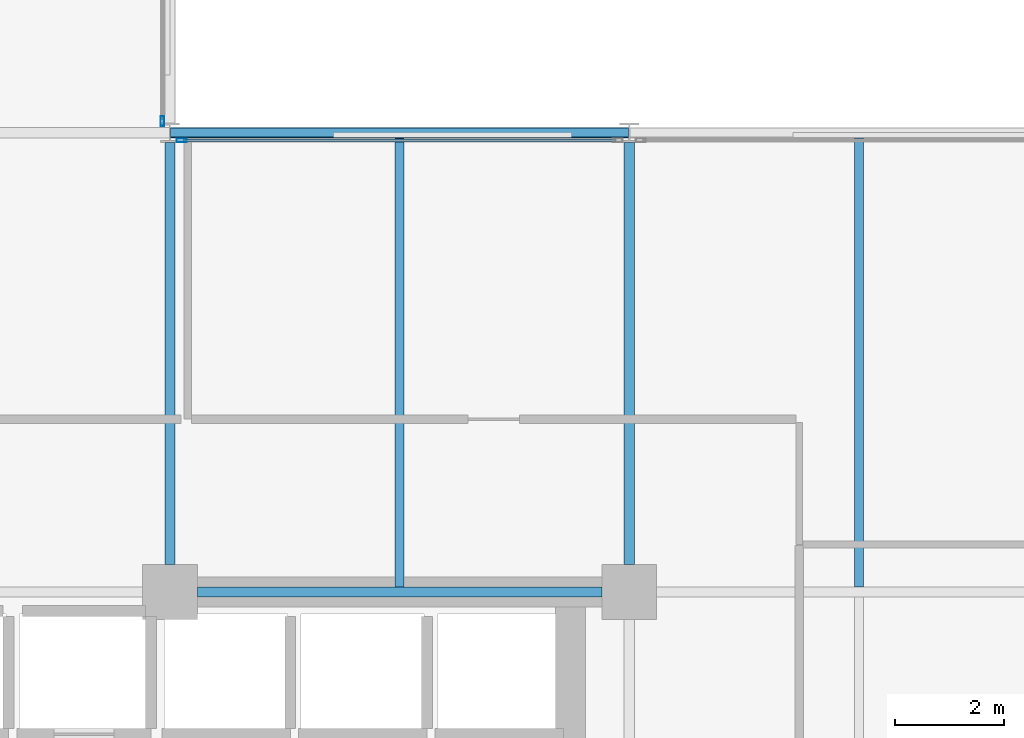
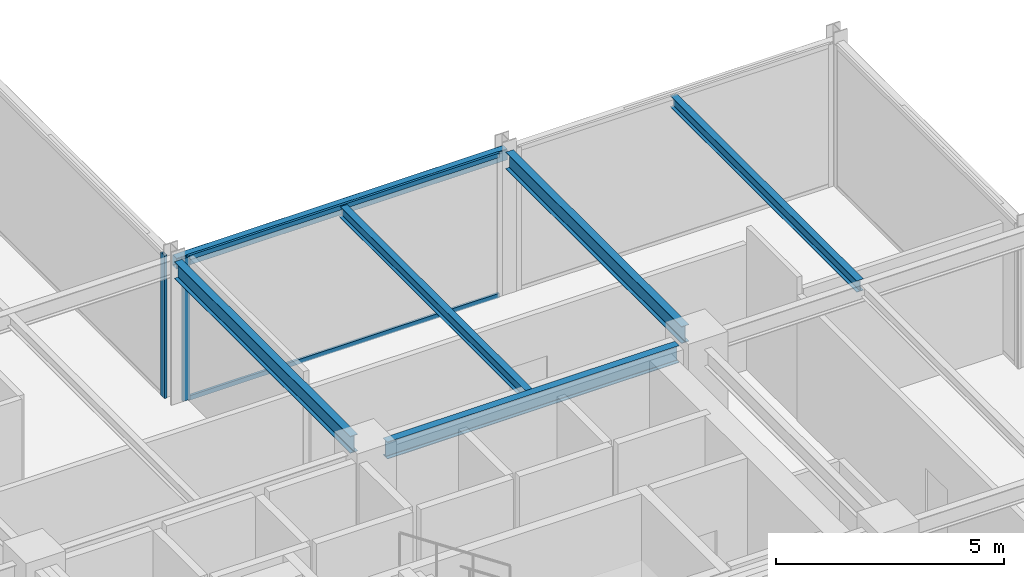
# One storey, part 14 of 29: 6 beams, 4 members, 2 elements without a shape of their own.
"""IFC4 building model written with IfcOpenShell, lengths in metres."""

import ifcopenshell
import ifcopenshell.guid

model = None  # the IFC model being written
_history = None  # IfcOwnerHistory: only IFC2X3 demands one
_inside = {}  # id of a spatial element -> (the spatial element, [elements in it])
_under = {}  # id of a project, library or spatial element -> (it, [spatial elements below it])
_declared = {}  # id of a project -> (the project, [libraries it declares])
_typed = {}  # id of a type object -> (the type object, [elements of that type])
_made_of = {}  # id of a material, layer set ... -> (it, [elements and type objects made of it])


def new_model(schema):
    """Start an empty IFC model of exactly this schema.

    Asked for "IFC4X3", IfcOpenShell would pick the latest addendum, in which some entities
    have other attributes; the version numbers below select the first issue.
    IFC2X3 requires an IfcOwnerHistory on every rooted entity: one is made here for all.
    """
    global model, _history
    if schema == "IFC4X3":
        model = ifcopenshell.file(schema_version=(4, 3, 0, 0))
    else:
        model = ifcopenshell.file(schema=schema)
    _inside.clear()
    _under.clear()
    _declared.clear()
    _typed.clear()
    _made_of.clear()
    _history = None
    if model.schema == "IFC2X3":
        org = make("IfcOrganization", Name="unknown")
        user = make(
            "IfcPersonAndOrganization",
            ThePerson=make("IfcPerson", FamilyName="unknown"),
            TheOrganization=org,
        )
        app = make(
            "IfcApplication",
            ApplicationDeveloper=org,
            Version="unknown",
            ApplicationFullName="unknown",
            ApplicationIdentifier="unknown",
        )
        _history = make(
            "IfcOwnerHistory",
            OwningUser=user,
            OwningApplication=app,
            ChangeAction="ADDED",
            CreationDate=0,
        )
    return model


def make(cls, **values):
    """One entity of the class cls with the attributes given. An attribute that is None is left unset."""
    return model.create_entity(
        cls, **{name: value for name, value in values.items() if value is not None}
    )


def rooted(cls, **values):
    """An entity with a GlobalId (a new one), such as an element, a storey or a relation."""
    return make(cls, GlobalId=ifcopenshell.guid.new(), OwnerHistory=_history, **values)


def si_unit(unit_type, name, prefix=None):
    """IfcSIUnit, for example si_unit("LENGTHUNIT", "METRE", prefix="MILLI")."""
    return make("IfcSIUnit", UnitType=unit_type, Prefix=prefix, Name=name)


def assignment(units):
    """IfcUnitAssignment: the units of a project."""
    return None if units is None else make("IfcUnitAssignment", Units=units)


def point(xyz):
    """IfcCartesianPoint."""
    return None if xyz is None else make("IfcCartesianPoint", Coordinates=xyz)


def direction(xyz):
    """IfcDirection."""
    return None if xyz is None else make("IfcDirection", DirectionRatios=xyz)


def frame(location, z_axis=None, x_axis=None):
    """IfcAxis2Placement3D, a coordinate frame: its origin and axes. An axis left out is left unset."""
    return make(
        "IfcAxis2Placement3D",
        Location=point(location),
        Axis=direction(z_axis),
        RefDirection=direction(x_axis),
    )


def frame_2d(location, x_axis=None):
    """IfcAxis2Placement2D, a coordinate frame in the plane: its origin and x axis."""
    return make(
        "IfcAxis2Placement2D", Location=point(location), RefDirection=direction(x_axis)
    )


def origin():
    """The frame at (0, 0, 0) with its axes left unset."""
    return frame((0.0, 0.0, 0.0))


def origin_2d():
    """The frame at (0, 0) in the plane with its x axis left unset."""
    return frame_2d((0.0, 0.0))


def place(relative_to, where):
    """IfcLocalPlacement: puts the frame where relative to a parent placement (None: the world)."""
    return make(
        "IfcLocalPlacement", PlacementRelTo=relative_to, RelativePlacement=where
    )


def context(
    kind, dimensions, precision=None, world=None, true_north=None, identifier=None
):
    """IfcGeometricRepresentationContext, for example the 3D "Model" context."""
    return make(
        "IfcGeometricRepresentationContext",
        ContextIdentifier=identifier,
        ContextType=kind,
        CoordinateSpaceDimension=dimensions,
        Precision=precision,
        WorldCoordinateSystem=world,
        TrueNorth=true_north,
    )


def subcontext(parent, identifier, kind, view, scale=None):
    """IfcGeometricRepresentationSubContext, for example "Body" below "Model"."""
    return make(
        "IfcGeometricRepresentationSubContext",
        ContextIdentifier=identifier,
        ContextType=kind,
        ParentContext=parent,
        TargetScale=scale,
        TargetView=view,
    )


def project(units=None, contexts=None):
    """IfcProject with its units and contexts."""
    return rooted(
        "IfcProject",
        Name="project",
        RepresentationContexts=contexts,
        UnitsInContext=assignment(units),
    )


def spatial(cls, under=None, at=None, **own):
    """A site, building, storey or space (cls), placed at a placement, below another one or the project."""
    s = rooted(cls, ObjectPlacement=at, **own)
    if under is not None:
        _under.setdefault(under.id(), (under, []))[1].append(s)
    return s


def profile(cls, at=None, kind="AREA", **sizes):
    """A parametric profile (cls). Its sizes go by their IFC names, for example OverallWidth=200.0."""
    return make(cls, ProfileType=kind, Position=at, **sizes)


def hollow_rectangle(**sizes):
    """IfcRectangleHollowProfileDef."""
    return profile("IfcRectangleHollowProfileDef", **sizes)


def i_section(**sizes):
    """IfcIShapeProfileDef."""
    return profile("IfcIShapeProfileDef", **sizes)


def extrude(swept, where, along, depth):
    """IfcExtrudedAreaSolid: the profile swept, set in the frame where, extruded along a direction by depth."""
    return make(
        "IfcExtrudedAreaSolid",
        SweptArea=swept,
        Position=where,
        ExtrudedDirection=direction(along),
        Depth=depth,
    )


def shape(context_of_items, identifier, shape_type, items):
    """IfcShapeRepresentation: the items that make up one representation, for example the "Body"."""
    return make(
        "IfcShapeRepresentation",
        ContextOfItems=context_of_items,
        RepresentationIdentifier=identifier,
        RepresentationType=shape_type,
        Items=items,
    )


def material(Name=None, Category=None):
    """IfcMaterial."""
    return make("IfcMaterial", Name=Name, Category=Category)


def layer(
    of_material, thickness, ventilated=None, Name=None, Category=None, Priority=None
):
    """IfcMaterialLayer: one layer of a wall or slab, of a material (None: an air gap)."""
    return make(
        "IfcMaterialLayer",
        Material=of_material,
        LayerThickness=thickness,
        IsVentilated=ventilated,
        Name=Name,
        Category=Category,
        Priority=Priority,
    )


def layer_set(layers, Name=None):
    """IfcMaterialLayerSet."""
    return make("IfcMaterialLayerSet", MaterialLayers=layers, LayerSetName=Name)


def material_profile(
    of_material, cross_section, Name=None, Category=None, Priority=None
):
    """IfcMaterialProfile: a cross section and its material."""
    return make(
        "IfcMaterialProfile",
        Name=Name,
        Material=of_material,
        Profile=cross_section,
        Priority=Priority,
        Category=Category,
    )


def profile_set(profiles, Name=None, composite=None):
    """IfcMaterialProfileSet."""
    return make(
        "IfcMaterialProfileSet",
        Name=Name,
        MaterialProfiles=profiles,
        CompositeProfile=composite,
    )


def made_of(thing, what):
    """Note that an element or type object is made of a material, layer set ...; save() writes the relation."""
    if what is not None:
        _made_of.setdefault(what.id(), (what, []))[1].append(thing)
    return thing


def type_object(cls, material=None, **own):
    """A type object (cls), such as IfcWallType, which elements share."""
    return made_of(rooted(cls, **own), material)


def element(
    cls,
    number,
    at=None,
    inside=None,
    cuts=None,
    type_object=None,
    material=None,
    context=None,
    identifier="Body",
    shape_type=None,
    held_by="IfcProductDefinitionShape",
    body=None,
    shapes=None,
    **own,
):
    """One element of the class cls, such as IfcWall. Its Tag is "e" and its number.

    at: its placement. inside: the storey or other place that contains it. cuts: it is an
    opening in that element (IfcRelVoidsElement). A single representation is given by context,
    identifier, shape_type and body (its items); several are given by shapes. held_by: the class
    of the entity that holds the representations. save() writes the other relations.
    """
    e = rooted(cls, Tag="e%d" % number, ObjectPlacement=at, **own)
    if body is not None:
        shapes = [shape(context, identifier, shape_type, body)]
    if shapes is not None:
        e.Representation = make(held_by, Representations=shapes)
    if inside is not None:
        _inside.setdefault(inside.id(), (inside, []))[1].append(e)
    if cuts is not None:
        rooted(
            "IfcRelVoidsElement", RelatingBuildingElement=cuts, RelatedOpeningElement=e
        )
    if type_object is not None:
        _typed.setdefault(type_object.id(), (type_object, []))[1].append(e)
    return made_of(e, material)


def aggregate(whole, parts):
    """IfcRelAggregates: a whole, such as a stair, and the parts it consists of."""
    return rooted("IfcRelAggregates", RelatingObject=whole, RelatedObjects=parts)


def save(model, path):
    """Write the relations noted so far, then the file.

    IfcRelAggregates (storeys below a building ...), IfcRelContainedInSpatialStructure (elements
    in a storey), IfcRelDefinesByType, IfcRelAssociatesMaterial and IfcRelDeclares: one each for
    every whole, place, type object, material and project.
    """
    for whole, parts in _under.values():
        aggregate(whole, parts)
    for where, things in _inside.values():
        rooted(
            "IfcRelContainedInSpatialStructure",
            RelatedElements=things,
            RelatingStructure=where,
        )
    for kind, things in _typed.values():
        rooted("IfcRelDefinesByType", RelatedObjects=things, RelatingType=kind)
    for what, things in _made_of.values():
        rooted("IfcRelAssociatesMaterial", RelatedObjects=things, RelatingMaterial=what)
    for by, libraries in _declared.values():
        rooted("IfcRelDeclares", RelatingContext=by, RelatedDefinitions=libraries)
    model.write(path)


model = new_model("IFC4")

# Units and contexts
model_context = context("Model", 3, precision=1e-05, world=origin(), true_north=direction((0.0, 1.0)))
body_context = subcontext(model_context, "Body", "Model", "MODEL_VIEW")
ifc_project = project(units=[si_unit("LENGTHUNIT", "METRE"), si_unit("AREAUNIT", "SQUARE_METRE"), si_unit("VOLUMEUNIT", "CUBIC_METRE"), si_unit("PLANEANGLEUNIT", "RADIAN"), si_unit("MASSUNIT", "GRAM", prefix="KILO")], contexts=[model_context])

# Site, building, storey
site_placement = place(None, origin())
site = spatial("IfcSite", under=ifc_project, at=site_placement, CompositionType="ELEMENT")
building_placement = place(site_placement, origin())
building = spatial("IfcBuilding", under=site, at=building_placement, Name="Nerrivon Quay Data Exchange", CompositionType="ELEMENT")
storey_placement = place(building_placement, frame((0.0, 0.0, 200.10009765625)))
storey = spatial("IfcBuildingStorey", under=building, at=storey_placement, Name="L47", CompositionType="ELEMENT", Elevation=200.10009765625)

# Beams
ifc_material_1 = material(Name="Steel Grade 350", Category="steel")
ifc_material_profile_1 = material_profile(ifc_material_1, i_section(OverallWidth=0.19091796875, OverallDepth=0.4599609375, WebThickness=0.010009765625, FlangeThickness=0.01611328125, FilletRadius=0.011474609375, at=origin_2d()), Name="460UB82.1")
ifc_profile_set_1 = profile_set([ifc_material_profile_1], Name="Steel Grade 350")
beam_type_1 = type_object("IfcBeamType", Name="BM-G5-460UB82", PredefinedType="BEAM", material=ifc_profile_set_1)
beam_1_placement = place(storey_placement, frame((25.699951171875, 16.800048828125, 3.594970703125), z_axis=(1.0, 0.0, 0.0), x_axis=(0.0, 1.0, 0.0)))
element("IfcBeam", 1, at=beam_1_placement, inside=storey, type_object=beam_type_1, Name="L47 EW Girder Y=16.8 (25.2..33.6)", PredefinedType="BEAM", context=body_context, shape_type="SweptSolid", body=[
    extrude(i_section(OverallWidth=0.19091796875, OverallDepth=0.4599609375, WebThickness=0.010009765625, FlangeThickness=0.01611328125, FilletRadius=0.011474609375, at=origin_2d()), origin(), (0.0, 0.0, 1.0), 7.400146484375),
])
ifc_material_profile_2 = material_profile(ifc_material_1, i_section(OverallWidth=0.18994140625, OverallDepth=0.4541015625, WebThickness=0.008544921875, FlangeThickness=0.0126953125, FilletRadius=0.011474609375, at=origin_2d()), Name="460UB67.1")
ifc_profile_set_2 = profile_set([ifc_material_profile_2], Name="Steel Grade 350")
beam_type_2 = type_object("IfcBeamType", Name="BM-G6-460UB67", PredefinedType="BEAM", material=ifc_profile_set_2)
for number, where, z_axis, x_axis, name in (
    (2, (25.199951171875, 17.300048828125, 3.597900390625), (0.0, 1.0, 0.0), (-1.0, 0.0, 0.0), "L47 NS Girder X=25.2 (16.8..25.2)"),
    (3, (33.60009765625, 17.300048828125, 3.597900390625), (0.0, 1.0, 0.0), (-1.0, 0.0, 0.0), "L47 NS Girder X=33.6 (16.8..25.2)"),
):
    element("IfcBeam", number, at=place(storey_placement, frame(where, z_axis=z_axis, x_axis=x_axis)), inside=storey, type_object=beam_type_2, Name=name, PredefinedType="BEAM", context=body_context, shape_type="SweptSolid", body=[
        extrude(i_section(OverallWidth=0.18994140625, OverallDepth=0.4541015625, WebThickness=0.008544921875, FlangeThickness=0.0126953125, FilletRadius=0.011474609375, at=origin_2d()), origin(), (0.0, 0.0, 1.0), 7.724853515625),
    ])
ifc_material_profile_3 = material_profile(ifc_material_1, i_section(OverallWidth=0.166015625, OverallDepth=0.306884765625, WebThickness=0.006591796875, FlangeThickness=0.01171875, FilletRadius=0.011474609375, at=origin_2d()), Name="310UB46.2")
ifc_profile_set_3 = profile_set([ifc_material_profile_3], Name="Steel Grade 350")
beam_type_3 = type_object("IfcBeamType", Name="BM-J5-310UB46", PredefinedType="JOIST", material=ifc_profile_set_3)
for number, where, z_axis, x_axis, name in (
    (4, (29.39990234375, 16.8955078125, 3.67138671875), (0.0, 1.0, 0.0), (-1.0, 0.0, 0.0), "L47 Secondary Joist X=29.4 (16.8..25.2)"),
    (5, (37.800048828125, 16.8955078125, 3.67138671875), (0.0, 1.0, 0.0), (-1.0, 0.0, 0.0), "L47 Secondary Joist X=37.8 (16.8..25.2)"),
):
    element("IfcBeam", number, at=place(storey_placement, frame(where, z_axis=z_axis, x_axis=x_axis)), inside=storey, type_object=beam_type_3, Name=name, PredefinedType="JOIST", context=body_context, shape_type="SweptSolid", body=[
        extrude(i_section(OverallWidth=0.166015625, OverallDepth=0.306884765625, WebThickness=0.006591796875, FlangeThickness=0.01171875, FilletRadius=0.011474609375, at=origin_2d()), origin(), (0.0, 0.0, 1.0), 8.20458984375),
    ])
ifc_material_2 = material(Name="Steel Grade C350L0 (350 MPa)", Category="steel")
ifc_material_profile_4 = material_profile(ifc_material_2, hollow_rectangle(XDim=0.199951171875, YDim=0.300048828125, WallThickness=0.012451171875, InnerFilletRadius=0.018798828125, OuterFilletRadius=0.03125, at=origin_2d()), Name="300x200x12.5RHS")
ifc_profile_set_4 = profile_set([ifc_material_profile_4], Name="Steel Grade C350L0 (350 MPa)")
beam_type_4 = type_object("IfcBeamType", Name="BM-SP3-300x200RHS", PredefinedType="SPANDREL", material=ifc_profile_set_4)
beam_2_placement = place(storey_placement, frame((25.2099609375, 25.199951171875, 3.6748046875), z_axis=(1.0, 0.0, 0.0), x_axis=(0.0, 1.0, 0.0)))
element("IfcBeam", 6, at=beam_2_placement, inside=storey, type_object=beam_type_4, Name="L47 EW Girder Y=25.2 (25.2..33.6)", PredefinedType="SPANDREL", context=body_context, shape_type="SweptSolid", body=[
    extrude(hollow_rectangle(XDim=0.199951171875, YDim=0.300048828125, WallThickness=0.012451171875, InnerFilletRadius=0.018798828125, OuterFilletRadius=0.03125, at=origin_2d()), origin(), (0.0, 0.0, 1.0), 8.380126953125),
])

# Curtain wall, member
ifc_material_3 = material(Name="Anodised aluminium 6063-T6", Category="aluminium")
ifc_layer = layer(ifc_material_3, 0.195068359375)
ifc_layer_set = layer_set([ifc_layer], Name="Anodised aluminium 6063-T6")
curtain_wall_type = type_object("IfcCurtainWallType", Name="CW-SYS-06", PredefinedType="NOTDEFINED", material=ifc_layer_set)
curtain_wall_1_placement = place(storey_placement, origin())
curtain_wall_1 = element("IfcCurtainWall", 7, at=curtain_wall_1_placement, inside=storey, type_object=curtain_wall_type, Name="L47 Unitised Curtain Wall 15", PredefinedType="NOTDEFINED")
ifc_material_profile_5 = material_profile(ifc_material_3, hollow_rectangle(XDim=0.06494140625, YDim=0.179931640625, WallThickness=0.00341796875, at=origin_2d()), Name="ALU-MULL-180x65")
ifc_profile_set_5 = profile_set([ifc_material_profile_5], Name="Anodised aluminium 6063-T6")
member_type_1 = type_object("IfcMemberType", Name="CWM-180x65", PredefinedType="MULLION", material=ifc_profile_set_5)
member_1_placement = place(storey_placement, frame((25.06005859375, 25.41259765625, 0.0), z_axis=(0.0, 0.0, 1.0), x_axis=(1.0, 0.0, 0.0)))
member_1 = element("IfcMember", 8, at=member_1_placement, type_object=member_type_1, Name="CW06 mullion 2", PredefinedType="MULLION", context=body_context, shape_type="SweptSolid", body=[
    extrude(hollow_rectangle(XDim=0.06494140625, YDim=0.179931640625, WallThickness=0.00341796875, at=origin_2d()), origin(), (0.0, 0.0, 1.0), 3.824951171875),
])
aggregate(curtain_wall_1, [member_1])

# Curtain wall, members
curtain_wall_2_placement = place(storey_placement, origin())
curtain_wall_2 = element("IfcCurtainWall", 9, at=curtain_wall_2_placement, inside=storey, type_object=curtain_wall_type, Name="L47 Unitised Curtain Wall 16", PredefinedType="NOTDEFINED")
member_2_placement = place(storey_placement, frame((25.41259765625, 25.06005859375, 0.0), z_axis=(0.0, 0.0, 1.0), x_axis=(0.0, 1.0, 0.0)))
member_2 = element("IfcMember", 10, at=member_2_placement, type_object=member_type_1, Name="CW06 mullion 1", PredefinedType="MULLION", context=body_context, shape_type="SweptSolid", body=[
    extrude(hollow_rectangle(XDim=0.06494140625, YDim=0.179931640625, WallThickness=0.00341796875, at=origin_2d()), origin(), (0.0, 0.0, 1.0), 3.824951171875),
])
ifc_material_profile_6 = material_profile(ifc_material_3, hollow_rectangle(XDim=0.06005859375, YDim=0.1201171875, WallThickness=0.003173828125, at=origin_2d()), Name="ALU-TRAN-120x60")
ifc_profile_set_6 = profile_set([ifc_material_profile_6], Name="Anodised aluminium 6063-T6")
member_type_2 = type_object("IfcMemberType", Name="CWT-120x60", PredefinedType="USERDEFINED", material=ifc_profile_set_6)
member_3_placement = place(storey_placement, frame((25.449951171875, 25.06005859375, 0.032470703125), z_axis=(1.0, 0.0, 0.0), x_axis=(0.0, 1.0, 0.0)))
member_3 = element("IfcMember", 11, at=member_3_placement, type_object=member_type_2, Name="CW06 transom 1.1", ObjectType="TRANSOM", PredefinedType="USERDEFINED", context=body_context, shape_type="SweptSolid", body=[
    extrude(hollow_rectangle(XDim=0.06005859375, YDim=0.1201171875, WallThickness=0.003173828125, at=origin_2d()), origin(), (0.0, 0.0, 1.0), 7.900146484375),
])
member_4_placement = place(storey_placement, frame((25.449951171875, 25.06005859375, 3.79248046875), z_axis=(1.0, 0.0, 0.0), x_axis=(0.0, 1.0, 0.0)))
member_4 = element("IfcMember", 12, at=member_4_placement, type_object=member_type_2, Name="CW06 transom 1.2", ObjectType="TRANSOM", PredefinedType="USERDEFINED", context=body_context, shape_type="SweptSolid", body=[
    extrude(hollow_rectangle(XDim=0.06005859375, YDim=0.1201171875, WallThickness=0.003173828125, at=origin_2d()), origin(), (0.0, 0.0, 1.0), 7.900146484375),
])
aggregate(curtain_wall_2, [member_2, member_3, member_4])

save(model, "model.ifc")
